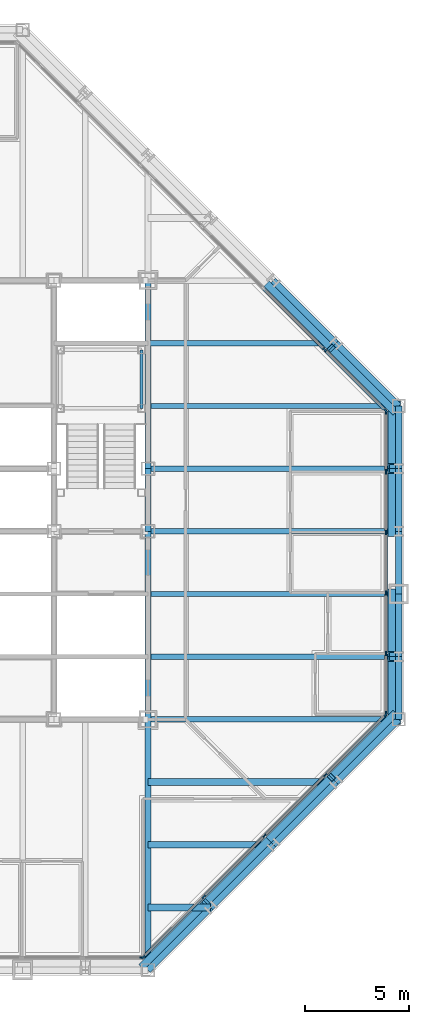
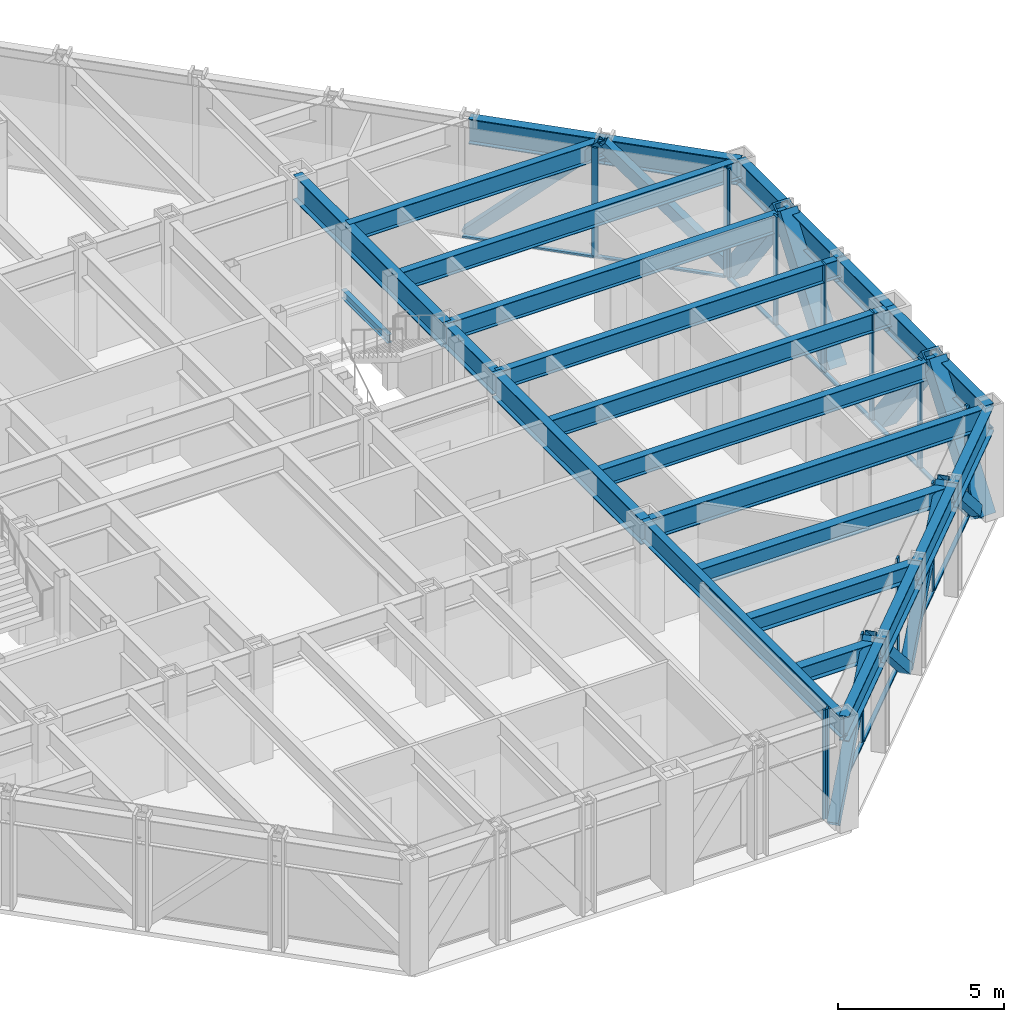
# One storey, part 6 of 15: 35 members, 26 beams, 4 elements without a shape of their own.
"""IFC4 building model written with IfcOpenShell, lengths in metres."""

import ifcopenshell
import ifcopenshell.guid

model = None  # the IFC model being written
_history = None  # IfcOwnerHistory: only IFC2X3 demands one
_inside = {}  # id of a spatial element -> (the spatial element, [elements in it])
_under = {}  # id of a project, library or spatial element -> (it, [spatial elements below it])
_declared = {}  # id of a project -> (the project, [libraries it declares])
_typed = {}  # id of a type object -> (the type object, [elements of that type])
_made_of = {}  # id of a material, layer set ... -> (it, [elements and type objects made of it])


def new_model(schema):
    """Start an empty IFC model of exactly this schema.

    Asked for "IFC4X3", IfcOpenShell would pick the latest addendum, in which some entities
    have other attributes; the version numbers below select the first issue.
    IFC2X3 requires an IfcOwnerHistory on every rooted entity: one is made here for all.
    """
    global model, _history
    if schema == "IFC4X3":
        model = ifcopenshell.file(schema_version=(4, 3, 0, 0))
    else:
        model = ifcopenshell.file(schema=schema)
    _inside.clear()
    _under.clear()
    _declared.clear()
    _typed.clear()
    _made_of.clear()
    _history = None
    if model.schema == "IFC2X3":
        org = make("IfcOrganization", Name="unknown")
        user = make(
            "IfcPersonAndOrganization",
            ThePerson=make("IfcPerson", FamilyName="unknown"),
            TheOrganization=org,
        )
        app = make(
            "IfcApplication",
            ApplicationDeveloper=org,
            Version="unknown",
            ApplicationFullName="unknown",
            ApplicationIdentifier="unknown",
        )
        _history = make(
            "IfcOwnerHistory",
            OwningUser=user,
            OwningApplication=app,
            ChangeAction="ADDED",
            CreationDate=0,
        )
    return model


def make(cls, **values):
    """One entity of the class cls with the attributes given. An attribute that is None is left unset."""
    return model.create_entity(
        cls, **{name: value for name, value in values.items() if value is not None}
    )


def rooted(cls, **values):
    """An entity with a GlobalId (a new one), such as an element, a storey or a relation."""
    return make(cls, GlobalId=ifcopenshell.guid.new(), OwnerHistory=_history, **values)


def si_unit(unit_type, name, prefix=None):
    """IfcSIUnit, for example si_unit("LENGTHUNIT", "METRE", prefix="MILLI")."""
    return make("IfcSIUnit", UnitType=unit_type, Prefix=prefix, Name=name)


def assignment(units):
    """IfcUnitAssignment: the units of a project."""
    return None if units is None else make("IfcUnitAssignment", Units=units)


def point(xyz):
    """IfcCartesianPoint."""
    return None if xyz is None else make("IfcCartesianPoint", Coordinates=xyz)


def direction(xyz):
    """IfcDirection."""
    return None if xyz is None else make("IfcDirection", DirectionRatios=xyz)


def frame(location, z_axis=None, x_axis=None):
    """IfcAxis2Placement3D, a coordinate frame: its origin and axes. An axis left out is left unset."""
    return make(
        "IfcAxis2Placement3D",
        Location=point(location),
        Axis=direction(z_axis),
        RefDirection=direction(x_axis),
    )


def frame_2d(location, x_axis=None):
    """IfcAxis2Placement2D, a coordinate frame in the plane: its origin and x axis."""
    return make(
        "IfcAxis2Placement2D", Location=point(location), RefDirection=direction(x_axis)
    )


def origin():
    """The frame at (0, 0, 0) with its axes left unset."""
    return frame((0.0, 0.0, 0.0))


def origin_2d():
    """The frame at (0, 0) in the plane with its x axis left unset."""
    return frame_2d((0.0, 0.0))


def place(relative_to, where):
    """IfcLocalPlacement: puts the frame where relative to a parent placement (None: the world)."""
    return make(
        "IfcLocalPlacement", PlacementRelTo=relative_to, RelativePlacement=where
    )


def context(
    kind, dimensions, precision=None, world=None, true_north=None, identifier=None
):
    """IfcGeometricRepresentationContext, for example the 3D "Model" context."""
    return make(
        "IfcGeometricRepresentationContext",
        ContextIdentifier=identifier,
        ContextType=kind,
        CoordinateSpaceDimension=dimensions,
        Precision=precision,
        WorldCoordinateSystem=world,
        TrueNorth=true_north,
    )


def subcontext(parent, identifier, kind, view, scale=None):
    """IfcGeometricRepresentationSubContext, for example "Body" below "Model"."""
    return make(
        "IfcGeometricRepresentationSubContext",
        ContextIdentifier=identifier,
        ContextType=kind,
        ParentContext=parent,
        TargetScale=scale,
        TargetView=view,
    )


def project(units=None, contexts=None):
    """IfcProject with its units and contexts."""
    return rooted(
        "IfcProject",
        Name="project",
        RepresentationContexts=contexts,
        UnitsInContext=assignment(units),
    )


def spatial(cls, under=None, at=None, **own):
    """A site, building, storey or space (cls), placed at a placement, below another one or the project."""
    s = rooted(cls, ObjectPlacement=at, **own)
    if under is not None:
        _under.setdefault(under.id(), (under, []))[1].append(s)
    return s


def profile(cls, at=None, kind="AREA", **sizes):
    """A parametric profile (cls). Its sizes go by their IFC names, for example OverallWidth=200.0."""
    return make(cls, ProfileType=kind, Position=at, **sizes)


def rectangle(**sizes):
    """IfcRectangleProfileDef."""
    return profile("IfcRectangleProfileDef", **sizes)


def hollow_rectangle(**sizes):
    """IfcRectangleHollowProfileDef."""
    return profile("IfcRectangleHollowProfileDef", **sizes)


def i_section(**sizes):
    """IfcIShapeProfileDef."""
    return profile("IfcIShapeProfileDef", **sizes)


def extrude(swept, where, along, depth):
    """IfcExtrudedAreaSolid: the profile swept, set in the frame where, extruded along a direction by depth."""
    return make(
        "IfcExtrudedAreaSolid",
        SweptArea=swept,
        Position=where,
        ExtrudedDirection=direction(along),
        Depth=depth,
    )


def shape(context_of_items, identifier, shape_type, items):
    """IfcShapeRepresentation: the items that make up one representation, for example the "Body"."""
    return make(
        "IfcShapeRepresentation",
        ContextOfItems=context_of_items,
        RepresentationIdentifier=identifier,
        RepresentationType=shape_type,
        Items=items,
    )


def material(Name=None, Category=None):
    """IfcMaterial."""
    return make("IfcMaterial", Name=Name, Category=Category)


def layer(
    of_material, thickness, ventilated=None, Name=None, Category=None, Priority=None
):
    """IfcMaterialLayer: one layer of a wall or slab, of a material (None: an air gap)."""
    return make(
        "IfcMaterialLayer",
        Material=of_material,
        LayerThickness=thickness,
        IsVentilated=ventilated,
        Name=Name,
        Category=Category,
        Priority=Priority,
    )


def layer_set(layers, Name=None):
    """IfcMaterialLayerSet."""
    return make("IfcMaterialLayerSet", MaterialLayers=layers, LayerSetName=Name)


def material_profile(
    of_material, cross_section, Name=None, Category=None, Priority=None
):
    """IfcMaterialProfile: a cross section and its material."""
    return make(
        "IfcMaterialProfile",
        Name=Name,
        Material=of_material,
        Profile=cross_section,
        Priority=Priority,
        Category=Category,
    )


def profile_set(profiles, Name=None, composite=None):
    """IfcMaterialProfileSet."""
    return make(
        "IfcMaterialProfileSet",
        Name=Name,
        MaterialProfiles=profiles,
        CompositeProfile=composite,
    )


def made_of(thing, what):
    """Note that an element or type object is made of a material, layer set ...; save() writes the relation."""
    if what is not None:
        _made_of.setdefault(what.id(), (what, []))[1].append(thing)
    return thing


def type_object(cls, material=None, **own):
    """A type object (cls), such as IfcWallType, which elements share."""
    return made_of(rooted(cls, **own), material)


def element(
    cls,
    number,
    at=None,
    inside=None,
    cuts=None,
    type_object=None,
    material=None,
    context=None,
    identifier="Body",
    shape_type=None,
    held_by="IfcProductDefinitionShape",
    body=None,
    shapes=None,
    **own,
):
    """One element of the class cls, such as IfcWall. Its Tag is "e" and its number.

    at: its placement. inside: the storey or other place that contains it. cuts: it is an
    opening in that element (IfcRelVoidsElement). A single representation is given by context,
    identifier, shape_type and body (its items); several are given by shapes. held_by: the class
    of the entity that holds the representations. save() writes the other relations.
    """
    e = rooted(cls, Tag="e%d" % number, ObjectPlacement=at, **own)
    if body is not None:
        shapes = [shape(context, identifier, shape_type, body)]
    if shapes is not None:
        e.Representation = make(held_by, Representations=shapes)
    if inside is not None:
        _inside.setdefault(inside.id(), (inside, []))[1].append(e)
    if cuts is not None:
        rooted(
            "IfcRelVoidsElement", RelatingBuildingElement=cuts, RelatedOpeningElement=e
        )
    if type_object is not None:
        _typed.setdefault(type_object.id(), (type_object, []))[1].append(e)
    return made_of(e, material)


def aggregate(whole, parts):
    """IfcRelAggregates: a whole, such as a stair, and the parts it consists of."""
    return rooted("IfcRelAggregates", RelatingObject=whole, RelatedObjects=parts)


def save(model, path):
    """Write the relations noted so far, then the file.

    IfcRelAggregates (storeys below a building ...), IfcRelContainedInSpatialStructure (elements
    in a storey), IfcRelDefinesByType, IfcRelAssociatesMaterial and IfcRelDeclares: one each for
    every whole, place, type object, material and project.
    """
    for whole, parts in _under.values():
        aggregate(whole, parts)
    for where, things in _inside.values():
        rooted(
            "IfcRelContainedInSpatialStructure",
            RelatedElements=things,
            RelatingStructure=where,
        )
    for kind, things in _typed.values():
        rooted("IfcRelDefinesByType", RelatedObjects=things, RelatingType=kind)
    for what, things in _made_of.values():
        rooted("IfcRelAssociatesMaterial", RelatedObjects=things, RelatingMaterial=what)
    for by, libraries in _declared.values():
        rooted("IfcRelDeclares", RelatingContext=by, RelatedDefinitions=libraries)
    model.write(path)


model = new_model("IFC4")

# Units and contexts
model_context = context("Model", 3, precision=1e-05, world=origin(), true_north=direction((0.0, 1.0)))
body_context = subcontext(model_context, "Body", "Model", "MODEL_VIEW")
ifc_project = project(units=[si_unit("LENGTHUNIT", "METRE"), si_unit("AREAUNIT", "SQUARE_METRE"), si_unit("VOLUMEUNIT", "CUBIC_METRE"), si_unit("PLANEANGLEUNIT", "RADIAN"), si_unit("MASSUNIT", "GRAM", prefix="KILO")], contexts=[model_context])

# Site, building, storey
site_placement = place(None, origin())
site = spatial("IfcSite", under=ifc_project, at=site_placement, CompositionType="ELEMENT")
building_placement = place(site_placement, origin())
building = spatial("IfcBuilding", under=site, at=building_placement, Name="Chuquiago Exchange Tower", CompositionType="ELEMENT")
storey_placement = place(building_placement, frame((0.0, 0.0, 188.699951171875)))
storey = spatial("IfcBuildingStorey", under=building, at=storey_placement, Name="L41", CompositionType="ELEMENT", Elevation=188.699951171875)

# Beams
ifc_material_1 = material(Name="Steel ASTM A992", Category="steel")
ifc_material_profile_1 = material_profile(ifc_material_1, i_section(OverallWidth=0.25390625, OverallDepth=0.683349609375, WebThickness=0.012451171875, FlangeThickness=0.018798828125, at=origin_2d()), Name="W27X94")
ifc_profile_set_1 = profile_set([ifc_material_profile_1], Name="Steel ASTM A992")
beam_type_1 = type_object("IfcBeamType", Name="B1 W27X94", PredefinedType="BEAM", material=ifc_profile_set_1)
for number, where, z_axis, x_axis, name in (
    (1, (33.0, 15.0, 3.698486328125), (1.0, 0.0, 0.0), (0.0, 1.0, 0.0), "FB-L42-infill-33_15-45_15-0"),
    (2, (33.0, 18.0, 3.698486328125), (1.0, 0.0, 0.0), (0.0, 1.0, 0.0), "FB-L42-infill-33_18-45_18-0"),
    (3, (33.0, 21.0, 3.698486328125), (1.0, 0.0, 0.0), (0.0, 1.0, 0.0), "FB-L42-infill-33_21-45_21-0"),
    (4, (33.0, 24.0, 3.698486328125), (1.0, 0.0, 0.0), (0.0, 1.0, 0.0), "FB-L42-infill-33_24-45_24-0"),
    (5, (33.0, 27.0, 3.698486328125), (1.0, 0.0, 0.0), (0.0, 1.0, 0.0), "FB-L42-infill-33_27-45_27-0"),
):
    element("IfcBeam", number, at=place(storey_placement, frame(where, z_axis=z_axis, x_axis=x_axis)), inside=storey, type_object=beam_type_1, Name=name, PredefinedType="BEAM", context=body_context, shape_type="SweptSolid", body=[
        extrude(i_section(OverallWidth=0.25390625, OverallDepth=0.683349609375, WebThickness=0.012451171875, FlangeThickness=0.018798828125, at=origin_2d()), origin(), (0.0, 0.0, 1.0), 12.0),
    ])
beam_1_placement = place(storey_placement, frame((33.0, 30.0, 3.698486328125), z_axis=(1.0, 0.0, 0.0), x_axis=(0.0, 1.0, 0.0)))
element("IfcBeam", 6, at=beam_1_placement, inside=storey, type_object=beam_type_1, Name="FB-L42-infill-33_30-42_30-0", PredefinedType="BEAM", context=body_context, shape_type="SweptSolid", body=[
    extrude(i_section(OverallWidth=0.25390625, OverallDepth=0.683349609375, WebThickness=0.012451171875, FlangeThickness=0.018798828125, at=origin_2d()), origin(), (0.0, 0.0, 1.0), 9.0),
])
ifc_material_2 = material(Name="Steel ASTM A992", Category="steel")
ifc_material_profile_2 = material_profile(ifc_material_2, i_section(OverallWidth=0.307373046875, OverallDepth=0.927001953125, WebThickness=0.01953125, FlangeThickness=0.031982421875, at=origin_2d()), Name="W36X194")
ifc_profile_set_2 = profile_set([ifc_material_profile_2], Name="Steel ASTM A992")
beam_type_2 = type_object("IfcBeamType", Name="B10 W36X194", PredefinedType="BEAM", material=ifc_profile_set_2)
for number, where, z_axis, x_axis, name in (
    (7, (33.0, 12.0, 3.57666015625), (0.0, 1.0, 0.0), (-1.0, 0.0, 0.0), "CB-L42-33_12-33_21"),
    (8, (33.0, 24.0, 3.57666015625), (0.0, 1.0, 0.0), (-1.0, 0.0, 0.0), "CB-L42-33_24-33_33"),
):
    element("IfcBeam", number, at=place(storey_placement, frame(where, z_axis=z_axis, x_axis=x_axis)), inside=storey, type_object=beam_type_2, Name=name, PredefinedType="BEAM", context=body_context, shape_type="SweptSolid", body=[
        extrude(i_section(OverallWidth=0.307373046875, OverallDepth=0.927001953125, WebThickness=0.01953125, FlangeThickness=0.031982421875, at=origin_2d()), origin(), (0.0, 0.0, 1.0), 9.0),
    ])
ifc_material_3 = material(Name="Steel ASTM A992", Category="steel")
ifc_material_profile_3 = material_profile(ifc_material_3, i_section(OverallWidth=0.3251953125, OverallDepth=0.612060546875, WebThickness=0.0126953125, FlangeThickness=0.01904296875, at=origin_2d()), Name="W24X104")
ifc_profile_set_3 = profile_set([ifc_material_profile_3], Name="Steel ASTM A992")
beam_type_3 = type_object("IfcBeamType", Name="B2 W24X104", PredefinedType="BEAM", material=ifc_profile_set_3)
beam_2_placement = place(storey_placement, frame((33.0, 3.0, 3.73388671875), z_axis=(1.0, 0.0, 0.0), x_axis=(0.0, 1.0, 0.0)))
element("IfcBeam", 9, at=beam_2_placement, inside=storey, type_object=beam_type_3, Name="FB-L42-corner-33_3-36_3-0", PredefinedType="BEAM", context=body_context, shape_type="SweptSolid", body=[
    extrude(i_section(OverallWidth=0.3251953125, OverallDepth=0.612060546875, WebThickness=0.0126953125, FlangeThickness=0.01904296875, at=origin_2d()), origin(), (0.0, 0.0, 1.0), 3.0),
])
beam_3_placement = place(storey_placement, frame((33.0, 6.0, 3.73388671875), z_axis=(1.0, 0.0, 0.0), x_axis=(0.0, 1.0, 0.0)))
element("IfcBeam", 10, at=beam_3_placement, inside=storey, type_object=beam_type_3, Name="FB-L42-corner-33_6-39_6-0", PredefinedType="BEAM", context=body_context, shape_type="SweptSolid", body=[
    extrude(i_section(OverallWidth=0.3251953125, OverallDepth=0.612060546875, WebThickness=0.0126953125, FlangeThickness=0.01904296875, at=origin_2d()), origin(), (0.0, 0.0, 1.0), 6.0),
])
beam_4_placement = place(storey_placement, frame((33.0, 9.0, 3.73388671875), z_axis=(1.0, 0.0, 0.0), x_axis=(0.0, 1.0, 0.0)))
element("IfcBeam", 11, at=beam_4_placement, inside=storey, type_object=beam_type_3, Name="FB-L42-corner-33_9-42_9-0", PredefinedType="BEAM", context=body_context, shape_type="SweptSolid", body=[
    extrude(i_section(OverallWidth=0.3251953125, OverallDepth=0.612060546875, WebThickness=0.0126953125, FlangeThickness=0.01904296875, at=origin_2d()), origin(), (0.0, 0.0, 1.0), 9.0),
])
ifc_material_4 = material(Name="Steel ASTM A992", Category="steel")
ifc_material_profile_4 = material_profile(ifc_material_4, i_section(OverallWidth=0.2919921875, OverallDepth=0.8583984375, WebThickness=0.01708984375, FlangeThickness=0.031005859375, at=origin_2d()), Name="W33X169")
ifc_profile_set_4 = profile_set([ifc_material_profile_4], Name="Steel ASTM A992")
beam_type_4 = type_object("IfcBeamType", Name="B3 W33X169", PredefinedType="BEAM", material=ifc_profile_set_4)
beam_5_placement = place(storey_placement, frame((33.0, 21.0, 3.61083984375), z_axis=(0.0, 1.0, 0.0), x_axis=(-1.0, 0.0, 0.0)))
element("IfcBeam", 12, at=beam_5_placement, inside=storey, type_object=beam_type_4, Name="CB-L42-33_21-33_24", PredefinedType="BEAM", context=body_context, shape_type="SweptSolid", body=[
    extrude(i_section(OverallWidth=0.2919921875, OverallDepth=0.8583984375, WebThickness=0.01708984375, FlangeThickness=0.031005859375, at=origin_2d()), origin(), (0.0, 0.0, 1.0), 3.0),
])

# Curtain wall, member
ifc_material_5 = material(Name="Aluminium curtain wall system", Category="aluminium")
ifc_layer_1 = layer(ifc_material_5, 0.22509765625)
ifc_layer_set_1 = layer_set([ifc_layer_1], Name="CW2 office curtain wall")
curtain_wall_type_1 = type_object("IfcCurtainWallType", Name="CW2 office curtain wall", PredefinedType="NOTDEFINED", material=ifc_layer_set_1)
curtain_wall_1_placement = place(storey_placement, origin())
curtain_wall_1 = element("IfcCurtainWall", 13, at=curtain_wall_1_placement, inside=storey, type_object=curtain_wall_type_1, Name="CW2 curtain wall L41", PredefinedType="NOTDEFINED")
ifc_material_6 = material(Name="Aluminium mullion, pale anodised", Category="aluminium")
ifc_material_profile_5 = material_profile(ifc_material_6, rectangle(XDim=0.06494140625, YDim=0.22509765625, at=origin_2d()), Name="AL 65x225")
ifc_profile_set_5 = profile_set([ifc_material_profile_5], Name="Aluminium mullion, pale anodised")
member_type_1 = type_object("IfcMemberType", Name="CW2-M mullion 65x225", PredefinedType="MULLION", material=ifc_profile_set_5)
member_1_placement = place(storey_placement, frame((32.718994140625, 0.60009765625, 0.0), z_axis=(0.0, 0.0, 1.0), x_axis=(0.0, 1.0, 0.0)))
member_1 = element("IfcMember", 14, at=member_1_placement, type_object=member_type_1, Name="CW2 mullion 6", PredefinedType="MULLION", context=body_context, shape_type="SweptSolid", body=[
    extrude(rectangle(XDim=0.06494140625, YDim=0.22509765625, at=origin_2d()), origin(), (0.0, 0.0, 1.0), 4.0400390625),
])
aggregate(curtain_wall_1, [member_1])

# Curtain wall, members
curtain_wall_2_placement = place(storey_placement, origin())
curtain_wall_2 = element("IfcCurtainWall", 15, at=curtain_wall_2_placement, inside=storey, type_object=curtain_wall_type_1, Name="CW2 curtain wall L41", PredefinedType="NOTDEFINED")
member_2_placement = place(storey_placement, frame((44.39990234375, 12.281005859375, 0.0), z_axis=(0.0, 0.0, 1.0), x_axis=(-1.0, 0.0, 0.0)))
member_2 = element("IfcMember", 16, at=member_2_placement, type_object=member_type_1, Name="CW2 mullion 1", PredefinedType="MULLION", context=body_context, shape_type="SweptSolid", body=[
    extrude(rectangle(XDim=0.06494140625, YDim=0.22509765625, at=origin_2d()), origin(), (0.0, 0.0, 1.0), 4.0400390625),
])
member_3_placement = place(storey_placement, frame((44.39990234375, 15.149169921875, 0.0), z_axis=(0.0, 0.0, 1.0), x_axis=(-1.0, 0.0, 0.0)))
member_3 = element("IfcMember", 17, at=member_3_placement, type_object=member_type_1, Name="CW2 mullion 2", PredefinedType="MULLION", context=body_context, shape_type="SweptSolid", body=[
    extrude(rectangle(XDim=0.06494140625, YDim=0.22509765625, at=origin_2d()), origin(), (0.0, 0.0, 1.0), 4.0400390625),
])
member_4_placement = place(storey_placement, frame((44.39990234375, 18.0498046875, 0.0), z_axis=(0.0, 0.0, 1.0), x_axis=(-1.0, 0.0, 0.0)))
member_4 = element("IfcMember", 18, at=member_4_placement, type_object=member_type_1, Name="CW2 mullion 3", PredefinedType="MULLION", context=body_context, shape_type="SweptSolid", body=[
    extrude(rectangle(XDim=0.06494140625, YDim=0.22509765625, at=origin_2d()), origin(), (0.0, 0.0, 1.0), 4.0400390625),
])
member_5_placement = place(storey_placement, frame((44.39990234375, 20.9501953125, 0.0), z_axis=(0.0, 0.0, 1.0), x_axis=(-1.0, 0.0, 0.0)))
member_5 = element("IfcMember", 19, at=member_5_placement, type_object=member_type_1, Name="CW2 mullion 4", PredefinedType="MULLION", context=body_context, shape_type="SweptSolid", body=[
    extrude(rectangle(XDim=0.06494140625, YDim=0.22509765625, at=origin_2d()), origin(), (0.0, 0.0, 1.0), 4.0400390625),
])
member_6_placement = place(storey_placement, frame((44.39990234375, 23.850830078125, 0.0), z_axis=(0.0, 0.0, 1.0), x_axis=(-1.0, 0.0, 0.0)))
member_6 = element("IfcMember", 20, at=member_6_placement, type_object=member_type_1, Name="CW2 mullion 5", PredefinedType="MULLION", context=body_context, shape_type="SweptSolid", body=[
    extrude(rectangle(XDim=0.06494140625, YDim=0.22509765625, at=origin_2d()), origin(), (0.0, 0.0, 1.0), 4.0400390625),
])
member_7_placement = place(storey_placement, frame((44.39990234375, 26.718994140625, 0.0), z_axis=(0.0, 0.0, 1.0), x_axis=(-1.0, 0.0, 0.0)))
member_7 = element("IfcMember", 21, at=member_7_placement, type_object=member_type_1, Name="CW2 mullion 6", PredefinedType="MULLION", context=body_context, shape_type="SweptSolid", body=[
    extrude(rectangle(XDim=0.06494140625, YDim=0.22509765625, at=origin_2d()), origin(), (0.0, 0.0, 1.0), 4.0400390625),
])
ifc_material_7 = material(Name="Aluminium transom, pale anodised", Category="aluminium")
ifc_material_profile_6 = material_profile(ifc_material_7, rectangle(XDim=0.139892578125, YDim=0.06494140625, at=origin_2d()), Name="AL 140x65")
ifc_profile_set_6 = profile_set([ifc_material_profile_6], Name="Aluminium transom, pale anodised")
member_type_2 = type_object("IfcMemberType", Name="CW2-T transom 65x140", PredefinedType="MULLION", material=ifc_profile_set_6)
member_8_placement = place(storey_placement, frame((44.39990234375, 12.3134765625, 0.032470703125), z_axis=(0.0, 1.0, 0.0), x_axis=(-1.0, 0.0, 0.0)))
member_8 = element("IfcMember", 22, at=member_8_placement, type_object=member_type_2, Name="CW2 transom 1.1", PredefinedType="MULLION", context=body_context, shape_type="SweptSolid", body=[
    extrude(rectangle(XDim=0.139892578125, YDim=0.06494140625, at=origin_2d()), origin(), (0.0, 0.0, 1.0), 2.80322265625),
])
member_9_placement = place(storey_placement, frame((44.39990234375, 15.181640625, 0.032470703125), z_axis=(0.0, 1.0, 0.0), x_axis=(-1.0, 0.0, 0.0)))
member_9 = element("IfcMember", 23, at=member_9_placement, type_object=member_type_2, Name="CW2 transom 2.1", PredefinedType="MULLION", context=body_context, shape_type="SweptSolid", body=[
    extrude(rectangle(XDim=0.139892578125, YDim=0.06494140625, at=origin_2d()), origin(), (0.0, 0.0, 1.0), 2.83544921875),
])
member_10_placement = place(storey_placement, frame((44.39990234375, 18.082275390625, 0.032470703125), z_axis=(0.0, 1.0, 0.0), x_axis=(-1.0, 0.0, 0.0)))
member_10 = element("IfcMember", 24, at=member_10_placement, type_object=member_type_2, Name="CW2 transom 3.1", PredefinedType="MULLION", context=body_context, shape_type="SweptSolid", body=[
    extrude(rectangle(XDim=0.139892578125, YDim=0.06494140625, at=origin_2d()), origin(), (0.0, 0.0, 1.0), 2.83544921875),
])
member_11_placement = place(storey_placement, frame((44.39990234375, 20.98291015625, 0.032470703125), z_axis=(0.0, 1.0, 0.0), x_axis=(-1.0, 0.0, 0.0)))
member_11 = element("IfcMember", 25, at=member_11_placement, type_object=member_type_2, Name="CW2 transom 4.1", PredefinedType="MULLION", context=body_context, shape_type="SweptSolid", body=[
    extrude(rectangle(XDim=0.139892578125, YDim=0.06494140625, at=origin_2d()), origin(), (0.0, 0.0, 1.0), 2.83544921875),
])
member_12_placement = place(storey_placement, frame((44.39990234375, 23.88330078125, 0.032470703125), z_axis=(0.0, 1.0, 0.0), x_axis=(-1.0, 0.0, 0.0)))
member_12 = element("IfcMember", 26, at=member_12_placement, type_object=member_type_2, Name="CW2 transom 5.1", PredefinedType="MULLION", context=body_context, shape_type="SweptSolid", body=[
    extrude(rectangle(XDim=0.139892578125, YDim=0.06494140625, at=origin_2d()), origin(), (0.0, 0.0, 1.0), 2.80322265625),
])
aggregate(curtain_wall_2, [member_2, member_3, member_4, member_5, member_6, member_7, member_8, member_9, member_10, member_11, member_12])

ifc_material_8 = material(Name="Aluminium curtain wall system", Category="aluminium")
ifc_layer_2 = layer(ifc_material_8, 0.199951171875)
ifc_layer_set_2 = layer_set([ifc_layer_2], Name="CW3 facet curtain wall")
curtain_wall_type_2 = type_object("IfcCurtainWallType", Name="CW3 facet curtain wall", PredefinedType="NOTDEFINED", material=ifc_layer_set_2)
curtain_wall_3_placement = place(storey_placement, origin())
curtain_wall_3 = element("IfcCurtainWall", 27, at=curtain_wall_3_placement, inside=storey, type_object=curtain_wall_type_2, Name="CW3 curtain wall L41", PredefinedType="NOTDEFINED")
ifc_material_9 = material(Name="Aluminium mullion, pale anodised", Category="aluminium")
ifc_material_profile_7 = material_profile(ifc_material_9, rectangle(XDim=0.06494140625, YDim=0.199951171875, at=origin_2d()), Name="AL 65x200")
ifc_profile_set_7 = profile_set([ifc_material_profile_7], Name="Aluminium mullion, pale anodised")
member_type_3 = type_object("IfcMemberType", Name="CW3-M mullion 65x200", PredefinedType="MULLION", material=ifc_profile_set_7)
member_13_placement = place(storey_placement, frame((32.7744140625, 0.623046875, 0.0), z_axis=(0.0, 0.0, 1.0), x_axis=(-0.707106781187, 0.707106781187, 0.0)))
member_13 = element("IfcMember", 28, at=member_13_placement, type_object=member_type_3, Name="CW3 mullion 1", PredefinedType="MULLION", context=body_context, shape_type="SweptSolid", body=[
    extrude(rectangle(XDim=0.06494140625, YDim=0.199951171875, at=origin_2d()), origin(), (0.0, 0.0, 1.0), 4.0400390625),
])
member_14_placement = place(storey_placement, frame((35.66357421875, 3.51220703125, 0.0), z_axis=(0.0, 0.0, 1.0), x_axis=(-0.707106781187, 0.707106781187, 0.0)))
member_14 = element("IfcMember", 29, at=member_14_placement, type_object=member_type_3, Name="CW3 mullion 2", PredefinedType="MULLION", context=body_context, shape_type="SweptSolid", body=[
    extrude(rectangle(XDim=0.06494140625, YDim=0.199951171875, at=origin_2d()), origin(), (0.0, 0.0, 1.0), 4.0400390625),
])
member_15_placement = place(storey_placement, frame((38.57568359375, 6.42431640625, 0.0), z_axis=(0.0, 0.0, 1.0), x_axis=(-0.707106781187, 0.707106781187, 0.0)))
member_15 = element("IfcMember", 30, at=member_15_placement, type_object=member_type_3, Name="CW3 mullion 3", PredefinedType="MULLION", context=body_context, shape_type="SweptSolid", body=[
    extrude(rectangle(XDim=0.06494140625, YDim=0.199951171875, at=origin_2d()), origin(), (0.0, 0.0, 1.0), 4.0400390625),
])
member_16_placement = place(storey_placement, frame((41.48779296875, 9.33642578125, 0.0), z_axis=(0.0, 0.0, 1.0), x_axis=(-0.707106781187, 0.707106781187, 0.0)))
member_16 = element("IfcMember", 31, at=member_16_placement, type_object=member_type_3, Name="CW3 mullion 4", PredefinedType="MULLION", context=body_context, shape_type="SweptSolid", body=[
    extrude(rectangle(XDim=0.06494140625, YDim=0.199951171875, at=origin_2d()), origin(), (0.0, 0.0, 1.0), 4.0400390625),
])
member_17_placement = place(storey_placement, frame((44.376953125, 12.2255859375, 0.0), z_axis=(0.0, 0.0, 1.0), x_axis=(-0.707106781187, 0.707106781187, 0.0)))
member_17 = element("IfcMember", 32, at=member_17_placement, type_object=member_type_3, Name="CW3 mullion 5", PredefinedType="MULLION", context=body_context, shape_type="SweptSolid", body=[
    extrude(rectangle(XDim=0.06494140625, YDim=0.199951171875, at=origin_2d()), origin(), (0.0, 0.0, 1.0), 4.0400390625),
])

curtain_wall_4_placement = place(storey_placement, origin())
curtain_wall_4 = element("IfcCurtainWall", 33, at=curtain_wall_4_placement, inside=storey, type_object=curtain_wall_type_2, Name="CW3 curtain wall L41", PredefinedType="NOTDEFINED")
member_18_placement = place(storey_placement, frame((44.376953125, 26.7744140625, 0.0), z_axis=(0.0, 0.0, 1.0), x_axis=(-0.707106781187, -0.707106781187, 0.0)))
member_18 = element("IfcMember", 34, at=member_18_placement, type_object=member_type_3, Name="CW3 mullion 1", PredefinedType="MULLION", context=body_context, shape_type="SweptSolid", body=[
    extrude(rectangle(XDim=0.06494140625, YDim=0.199951171875, at=origin_2d()), origin(), (0.0, 0.0, 1.0), 4.0400390625),
])
member_19_placement = place(storey_placement, frame((41.45849609375, 29.69287109375, 0.0), z_axis=(0.0, 0.0, 1.0), x_axis=(-0.707106781187, -0.707106781187, 0.0)))
member_19 = element("IfcMember", 35, at=member_19_placement, type_object=member_type_3, Name="CW3 mullion 2", PredefinedType="MULLION", context=body_context, shape_type="SweptSolid", body=[
    extrude(rectangle(XDim=0.06494140625, YDim=0.199951171875, at=origin_2d()), origin(), (0.0, 0.0, 1.0), 4.0400390625),
])

# Member
ifc_material_10 = material(Name="Aluminium transom, pale anodised", Category="aluminium")
ifc_material_profile_8 = material_profile(ifc_material_10, rectangle(XDim=0.139892578125, YDim=0.06494140625, at=origin_2d()), Name="AL 140x65")
ifc_profile_set_8 = profile_set([ifc_material_profile_8], Name="Aluminium transom, pale anodised")
member_type_4 = type_object("IfcMemberType", Name="CW3-T transom 65x140", PredefinedType="MULLION", material=ifc_profile_set_8)
member_20_placement = place(storey_placement, frame((32.79736328125, 0.64599609375, 0.032470703125), z_axis=(0.707106781187, 0.707106781187, 0.0), x_axis=(-0.707106781187, 0.707106781187, 0.0)))
member_20 = element("IfcMember", 36, at=member_20_placement, type_object=member_type_4, Name="CW3 transom 1.1", PredefinedType="MULLION", context=body_context, shape_type="SweptSolid", body=[
    extrude(rectangle(XDim=0.139892578125, YDim=0.06494140625, at=origin_2d()), origin(), (0.0, 0.0, 1.0), 4.02099609375),
])

member_21_placement = place(storey_placement, frame((35.6865234375, 3.53515625, 0.032470703125), z_axis=(0.707106781187, 0.707106781187, 0.0), x_axis=(-0.707106781187, 0.707106781187, 0.0)))
member_21 = element("IfcMember", 37, at=member_21_placement, type_object=member_type_4, Name="CW3 transom 2.1", PredefinedType="MULLION", context=body_context, shape_type="SweptSolid", body=[
    extrude(rectangle(XDim=0.139892578125, YDim=0.06494140625, at=origin_2d()), origin(), (0.0, 0.0, 1.0), 4.053466796875),
])

member_22_placement = place(storey_placement, frame((38.5986328125, 6.447265625, 0.032470703125), z_axis=(0.707106781187, 0.707106781187, 0.0), x_axis=(-0.707106781187, 0.707106781187, 0.0)))
member_22 = element("IfcMember", 38, at=member_22_placement, type_object=member_type_4, Name="CW3 transom 3.1", PredefinedType="MULLION", context=body_context, shape_type="SweptSolid", body=[
    extrude(rectangle(XDim=0.139892578125, YDim=0.06494140625, at=origin_2d()), origin(), (0.0, 0.0, 1.0), 4.053466796875),
])

member_23_placement = place(storey_placement, frame((41.5107421875, 9.359375, 0.032470703125), z_axis=(0.707106781187, 0.707106781187, 0.0), x_axis=(-0.707106781187, 0.707106781187, 0.0)))
member_23 = element("IfcMember", 39, at=member_23_placement, type_object=member_type_4, Name="CW3 transom 4.1", PredefinedType="MULLION", context=body_context, shape_type="SweptSolid", body=[
    extrude(rectangle(XDim=0.139892578125, YDim=0.06494140625, at=origin_2d()), origin(), (0.0, 0.0, 1.0), 4.02099609375),
])

aggregate(curtain_wall_3, [member_13, member_14, member_15, member_16, member_17, member_20, member_21, member_22, member_23])

member_24_placement = place(storey_placement, frame((44.35400390625, 26.79736328125, 0.032470703125), z_axis=(-0.707106781187, 0.707106781187, 0.0), x_axis=(-0.707106781187, -0.707106781187, 0.0)))
member_24 = element("IfcMember", 40, at=member_24_placement, type_object=member_type_4, Name="CW3 transom 1.1", PredefinedType="MULLION", context=body_context, shape_type="SweptSolid", body=[
    extrude(rectangle(XDim=0.139892578125, YDim=0.06494140625, at=origin_2d()), origin(), (0.0, 0.0, 1.0), 4.0625),
])

member_25_placement = place(storey_placement, frame((41.435546875, 29.7158203125, 0.032470703125), z_axis=(-0.707106781187, 0.707106781187, 0.0), x_axis=(-0.707106781187, -0.707106781187, 0.0)))
member_25 = element("IfcMember", 41, at=member_25_placement, type_object=member_type_4, Name="CW3 transom 2.1", PredefinedType="MULLION", context=body_context, shape_type="SweptSolid", body=[
    extrude(rectangle(XDim=0.139892578125, YDim=0.06494140625, at=origin_2d()), origin(), (0.0, 0.0, 1.0), 4.094970703125),
])

aggregate(curtain_wall_4, [member_18, member_19, member_24, member_25])

# Beams
ifc_material_11 = material(Name="Steel ASTM A992", Category="steel")
ifc_material_profile_9 = material_profile(ifc_material_11, i_section(OverallWidth=0.2666015625, OverallDepth=0.76953125, WebThickness=0.015625, FlangeThickness=0.025390625, at=origin_2d()), Name="W30X132")
ifc_profile_set_9 = profile_set([ifc_material_profile_9], Name="Steel ASTM A992")
beam_type_5 = type_object("IfcBeamType", Name="G1 W30X132", PredefinedType="BEAM", material=ifc_profile_set_9)
for number, where, z_axis, x_axis, name in (
    (42, (33.0, 12.0, 3.6552734375), (0.0, -1.0, 0.0), (1.0, 0.0, 0.0), "FB-L42-girder-33_12-33_-0-0"),
    (43, (33.0, 12.0, 3.6552734375), (1.0, 0.0, 0.0), (0.0, 1.0, 0.0), "FB-L42-girder-33_12-45_12-0"),
):
    element("IfcBeam", number, at=place(storey_placement, frame(where, z_axis=z_axis, x_axis=x_axis)), inside=storey, type_object=beam_type_5, Name=name, PredefinedType="BEAM", context=body_context, shape_type="SweptSolid", body=[
        extrude(i_section(OverallWidth=0.2666015625, OverallDepth=0.76953125, WebThickness=0.015625, FlangeThickness=0.025390625, at=origin_2d()), origin(), (0.0, 0.0, 1.0), 12.0),
    ])

# Members
ifc_material_12 = material(Name="Steel ASTM A500 Grade C", Category="steel")
ifc_material_profile_10 = material_profile(ifc_material_12, hollow_rectangle(XDim=0.355712890625, YDim=0.355712890625, WallThickness=0.0146484375, at=origin_2d()), Name="HSS14X14X5/8")
ifc_profile_set_10 = profile_set([ifc_material_profile_10], Name="Steel ASTM A500 Grade C")
member_type_5 = type_object("IfcMemberType", Name="LB2 HSS14X14X5/8", PredefinedType="BRACE", material=ifc_profile_set_10)
for number, where, z_axis, x_axis, name in (
    (44, (32.7685546875, 0.2314453125, 0.0), (0.512077265487, 0.512077265487, 0.689604051861), (-0.707106781187, 0.707106781187, 0.0), "LB-L41-33_0-36_3"),
    (45, (38.7685546875, 6.2314453125, 0.0), (-0.512077265487, -0.512077265487, 0.689604051861), (0.707106781187, -0.707106781187, 0.0), "LB-L41-36_3-39_6"),
    (46, (38.7685546875, 6.2314453125, 0.0), (0.512077265487, 0.512077265487, 0.689604051861), (-0.707106781187, 0.707106781187, 0.0), "LB-L41-39_6-42_9"),
    (47, (44.7685546875, 12.2314453125, 0.0), (-0.512077265487, -0.512077265487, 0.689604051861), (0.707106781187, -0.707106781187, 0.0), "LB-L41-42_9-45_12"),
    (48, (44.7685546875, 26.7685546875, 0.0), (-0.512077265487, 0.512077265487, 0.689604051861), (-0.707106781187, -0.707106781187, 0.0), "LB-L41-45_27-42_30"),
    (49, (38.7685546875, 32.7685546875, 0.0), (0.512077265487, -0.512077265487, 0.689604051861), (0.707106781187, 0.707106781187, 0.0), "LB-L41-42_30-39_33"),
):
    element("IfcMember", number, at=place(storey_placement, frame(where, z_axis=z_axis, x_axis=x_axis)), inside=storey, type_object=member_type_5, Name=name, PredefinedType="BRACE", context=body_context, shape_type="SweptSolid", body=[
        extrude(hollow_rectangle(XDim=0.355712890625, YDim=0.355712890625, WallThickness=0.0146484375, at=origin_2d()), origin(), (0.0, 0.0, 1.0), 5.8583984375),
    ])

# Beam
ifc_material_13 = material(Name="Steel ASTM A992", Category="steel")
ifc_material_profile_11 = material_profile(ifc_material_13, i_section(OverallWidth=0.164794921875, OverallDepth=0.309814453125, WebThickness=0.005859375, FlangeThickness=0.009765625, at=origin_2d()), Name="W12X26")
ifc_profile_set_11 = profile_set([ifc_material_profile_11], Name="Steel ASTM A992")
beam_type_6 = type_object("IfcBeamType", Name="LS1 W12X26", PredefinedType="BEAM", material=ifc_profile_set_11)
beam_6_placement = place(storey_placement, frame((32.68994140625, 26.889892578125, 1.7451171875), z_axis=(0.0, 1.0, 0.0), x_axis=(-1.0, 0.0, 0.0)))
element("IfcBeam", 50, at=beam_6_placement, inside=storey, type_object=beam_type_6, Name="Stair ST2 L41 landing 1 stringer", PredefinedType="BEAM", context=body_context, shape_type="SweptSolid", body=[
    extrude(i_section(OverallWidth=0.164794921875, OverallDepth=0.309814453125, WebThickness=0.005859375, FlangeThickness=0.009765625, at=origin_2d()), origin(), (0.0, 0.0, 1.0), 2.800048828125),
])

# Members
ifc_material_14 = material(Name="Steel ASTM A572 Grade 50", Category="steel")
ifc_material_profile_12 = material_profile(ifc_material_14, hollow_rectangle(XDim=0.60009765625, YDim=0.60009765625, WallThickness=0.06005859375, at=origin_2d()), Name="BOX600X600X60")
ifc_profile_set_12 = profile_set([ifc_material_profile_12], Name="Steel ASTM A572 Grade 50")
member_type_6 = type_object("IfcMemberType", Name="MB3 BOX600X600X60", PredefinedType="BRACE", material=ifc_profile_set_12)
for number, where, z_axis, x_axis, name in (
    (51, (44.794921875, 12.0, 0.0), (0.0, 0.596173923302, 0.802855312728), (-1.0, 0.0, 0.0), "Mega diagonal L41 E face"),
    (52, (44.794921875, 18.0, 0.0), (0.0, -0.596173923302, 0.802855312728), (1.0, 0.0, 0.0), "Mega diagonal L41 E face"),
    (53, (44.794921875, 21.0, 0.0), (0.0, 0.596173923302, 0.802855312728), (-1.0, 0.0, 0.0), "Mega diagonal L41 E face"),
    (54, (44.794921875, 27.0, 0.0), (0.0, -0.596173923302, 0.802855312728), (1.0, 0.0, 0.0), "Mega diagonal L41 E face"),
):
    element("IfcMember", number, at=place(storey_placement, frame(where, z_axis=z_axis, x_axis=x_axis)), inside=storey, type_object=member_type_6, Name=name, PredefinedType="BRACE", context=body_context, shape_type="SweptSolid", body=[
        extrude(hollow_rectangle(XDim=0.60009765625, YDim=0.60009765625, WallThickness=0.06005859375, at=origin_2d()), origin(), (0.0, 0.0, 1.0), 5.031982421875),
    ])

# Beams
ifc_material_15 = material(Name="Steel ASTM A992", Category="steel")
ifc_material_profile_13 = material_profile(ifc_material_15, i_section(OverallWidth=0.307373046875, OverallDepth=0.927001953125, WebThickness=0.01953125, FlangeThickness=0.031982421875, at=origin_2d()), Name="W36X194")
ifc_profile_set_13 = profile_set([ifc_material_profile_13], Name="Steel ASTM A992")
beam_type_7 = type_object("IfcBeamType", Name="SP3 W36X194", PredefinedType="SPANDREL", material=ifc_profile_set_13)
for number, where, z_axis, x_axis, name in (
    (55, (33.0, 0.0, 3.57666015625), (0.707106781187, 0.707106781187, 0.0), (-0.707106781187, 0.707106781187, 0.0), "SPB-L42-33_0-36_3"),
    (56, (36.0, 3.0, 3.57666015625), (0.707106781187, 0.707106781187, 0.0), (-0.707106781187, 0.707106781187, 0.0), "SPB-L42-36_3-39_6"),
    (57, (39.0, 6.0, 3.57666015625), (0.707106781187, 0.707106781187, 0.0), (-0.707106781187, 0.707106781187, 0.0), "SPB-L42-39_6-42_9"),
    (58, (42.0, 9.0, 3.57666015625), (0.707106781187, 0.707106781187, 0.0), (-0.707106781187, 0.707106781187, 0.0), "SPB-L42-42_9-45_12"),
):
    element("IfcBeam", number, at=place(storey_placement, frame(where, z_axis=z_axis, x_axis=x_axis)), inside=storey, type_object=beam_type_7, Name=name, PredefinedType="SPANDREL", context=body_context, shape_type="SweptSolid", body=[
        extrude(i_section(OverallWidth=0.307373046875, OverallDepth=0.927001953125, WebThickness=0.01953125, FlangeThickness=0.031982421875, at=origin_2d()), origin(), (0.0, 0.0, 1.0), 4.24267578125),
    ])
for number, where, z_axis, x_axis, name in (
    (59, (45.0, 12.0, 3.57666015625), (0.0, 1.0, 0.0), (-1.0, 0.0, 0.0), "SPB-L42-45_12-45_15"),
    (60, (45.0, 15.0, 3.57666015625), (0.0, 1.0, 0.0), (-1.0, 0.0, 0.0), "SPB-L42-45_15-45_18"),
    (61, (45.0, 18.0, 3.57666015625), (0.0, 1.0, 0.0), (-1.0, 0.0, 0.0), "SPB-L42-45_18-45_21"),
    (62, (45.0, 21.0, 3.57666015625), (0.0, 1.0, 0.0), (-1.0, 0.0, 0.0), "SPB-L42-45_21-45_24"),
    (63, (45.0, 24.0, 3.57666015625), (0.0, 1.0, 0.0), (-1.0, 0.0, 0.0), "SPB-L42-45_24-45_27"),
):
    element("IfcBeam", number, at=place(storey_placement, frame(where, z_axis=z_axis, x_axis=x_axis)), inside=storey, type_object=beam_type_7, Name=name, PredefinedType="SPANDREL", context=body_context, shape_type="SweptSolid", body=[
        extrude(i_section(OverallWidth=0.307373046875, OverallDepth=0.927001953125, WebThickness=0.01953125, FlangeThickness=0.031982421875, at=origin_2d()), origin(), (0.0, 0.0, 1.0), 3.0),
    ])
for number, where, z_axis, x_axis, name in (
    (64, (45.0, 27.0, 3.57666015625), (-0.707106781187, 0.707106781187, 0.0), (-0.707106781187, -0.707106781187, 0.0), "SPB-L42-45_27-42_30"),
    (65, (42.0, 30.0, 3.57666015625), (-0.707106781187, 0.707106781187, 0.0), (-0.707106781187, -0.707106781187, 0.0), "SPB-L42-42_30-39_33"),
):
    element("IfcBeam", number, at=place(storey_placement, frame(where, z_axis=z_axis, x_axis=x_axis)), inside=storey, type_object=beam_type_7, Name=name, PredefinedType="SPANDREL", context=body_context, shape_type="SweptSolid", body=[
        extrude(i_section(OverallWidth=0.307373046875, OverallDepth=0.927001953125, WebThickness=0.01953125, FlangeThickness=0.031982421875, at=origin_2d()), origin(), (0.0, 0.0, 1.0), 4.24267578125),
    ])

save(model, "model.ifc")
